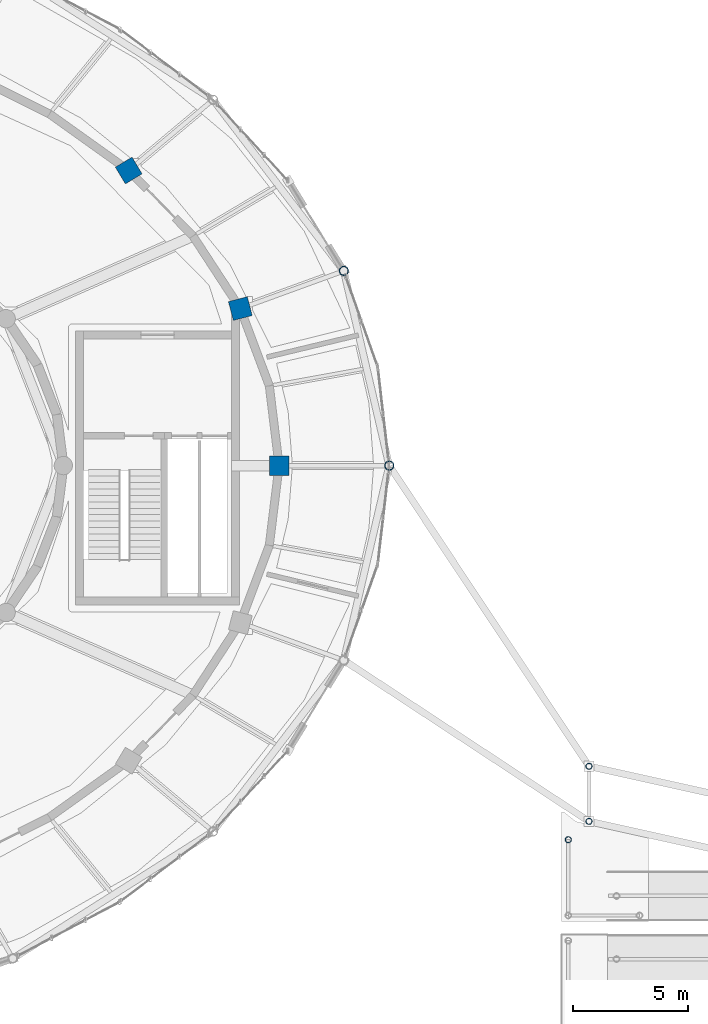
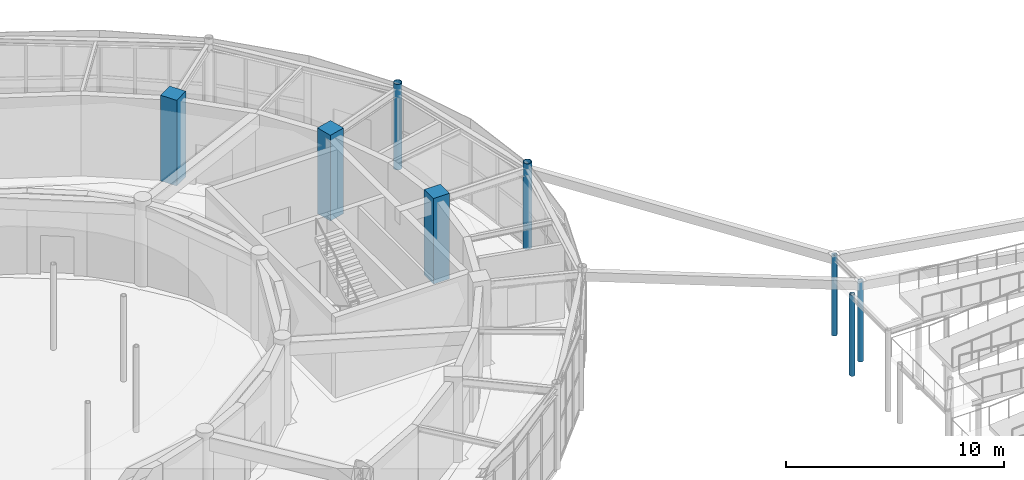
# One storey, part 10 of 108: 8 columns.
"""IFC4 building model written with IfcOpenShell, lengths in metres."""

from ifc_helpers import new_model, si_unit, direction, frame, origin, origin_2d, place, context, subcontext, project, spatial, rectangle, hollow_circle, extrude, material, material_profile, profile_set, type_object, element, save


model = new_model("IFC4")

# Units and contexts
model_context = context("Model", 3, precision=1e-05, world=origin(), true_north=direction((0.0, 1.0)))
body_context = subcontext(model_context, "Body", "Model", "MODEL_VIEW")
ifc_project = project(units=[si_unit("LENGTHUNIT", "METRE"), si_unit("AREAUNIT", "SQUARE_METRE"), si_unit("VOLUMEUNIT", "CUBIC_METRE"), si_unit("PLANEANGLEUNIT", "RADIAN"), si_unit("MASSUNIT", "GRAM", prefix="KILO")], contexts=[model_context])

# Site, building, storey
site_placement = place(None, origin())
site = spatial("IfcSite", under=ifc_project, at=site_placement, CompositionType="ELEMENT")
building_placement = place(site_placement, origin())
building = spatial("IfcBuilding", under=site, at=building_placement, Name="Tarnveldt Headland Concert Hall", CompositionType="ELEMENT")
storey_placement = place(building_placement, origin())
storey = spatial("IfcBuildingStorey", under=building, at=storey_placement, Name="L00", CompositionType="ELEMENT", Elevation=0.0)

# Columns
ifc_material_1 = material(Name="Concrete C40/50", Category="concrete")
ifc_material_profile_1 = material_profile(ifc_material_1, rectangle(XDim=0.85009765625, YDim=0.85009765625, at=origin_2d()), Name="RC 850x850", Category="concrete")
ifc_profile_set_1 = profile_set([ifc_material_profile_1], Name="Concrete C40/50")
column_type_1 = type_object("IfcColumnType", Name="CC-850", PredefinedType="COLUMN", material=ifc_profile_set_1)
for number, where, z_axis, x_axis, name in (
    (1, (111.5, 54.5, 0.0), (0.0, 0.0, 1.0), (1.0, 0.0, 0.0), "Column V2DC01 L00"),
    (2, (109.811279296875, 61.34033203125, 0.0), (0.0, 0.0, 1.0), (0.967841021032, 0.251562632376, 0.0), "Column V2DC02 L00"),
    (3, (104.94921875, 67.355712890625, 0.0), (0.0, 0.0, 1.0), (0.85770617722, 0.514140169175, 0.0), "Column V2DC03 L00"),
):
    element("IfcColumn", number, at=place(storey_placement, frame(where, z_axis=z_axis, x_axis=x_axis)), inside=storey, type_object=column_type_1, Name=name, PredefinedType="COLUMN", context=body_context, shape_type="SweptSolid", body=[
        extrude(rectangle(XDim=0.85009765625, YDim=0.85009765625, at=origin_2d()), origin(), (0.0, 0.0, 1.0), 4.800048828125),
    ])
ifc_material_2 = material(Name="Steel S355", Category="steel")
ifc_material_profile_2 = material_profile(ifc_material_2, hollow_circle(Radius=0.136474609375, WallThickness=0.01611328125, at=origin_2d()), Name="CHS 273x16", Category="steel")
ifc_profile_set_2 = profile_set([ifc_material_profile_2], Name="Steel S355")
column_type_2 = type_object("IfcColumnType", Name="SC-CHS273", PredefinedType="COLUMN", material=ifc_profile_set_2)
for number, where, z_axis, x_axis, name in (
    (4, (125.0, 39.0, 0.0), (0.0, 0.0, 1.0), (1.0, 0.0, 0.0), "Column BRP01 L00"),
    (5, (125.0, 41.39990234375, 0.0), (0.0, 0.0, 1.0), (1.0, 0.0, 0.0), "Column BRP02 L00"),
):
    element("IfcColumn", number, at=place(storey_placement, frame(where, z_axis=z_axis, x_axis=x_axis)), inside=storey, type_object=column_type_2, Name=name, PredefinedType="COLUMN", context=body_context, shape_type="SweptSolid", body=[
        extrude(hollow_circle(Radius=0.136474609375, WallThickness=0.01611328125, at=origin_2d()), origin(), (0.0, 0.0, 1.0), 4.510009765625),
    ])
column_placement = place(storey_placement, frame((124.10009765625, 38.199951171875, 0.0), z_axis=(0.0, 0.0, 1.0), x_axis=(1.0, 0.0, 0.0)))
element("IfcColumn", 6, at=column_placement, inside=storey, type_object=column_type_2, Name="Ramp landing pier W4N", PredefinedType="COLUMN", context=body_context, shape_type="SweptSolid", body=[
    extrude(hollow_circle(Radius=0.136474609375, WallThickness=0.01611328125, at=origin_2d()), origin(), (0.0, 0.0, 1.0), 4.550048828125),
])
ifc_material_profile_3 = material_profile(ifc_material_2, hollow_circle(Radius=0.203125, WallThickness=0.02490234375, at=origin_2d()), Name="CHS 406.4x25", Category="steel")
ifc_profile_set_3 = profile_set([ifc_material_profile_3], Name="Steel S355")
column_type_3 = type_object("IfcColumnType", Name="SC-CHS406", PredefinedType="COLUMN", material=ifc_profile_set_3)
for number, where, z_axis, x_axis, name in (
    (7, (116.300048828125, 54.5, 0.0), (0.0, 0.0, 1.0), (1.0, 0.0, 0.0), "Column V1C01 L00"),
    (8, (114.322021484375, 62.982177734375, 0.0), (0.0, 0.0, 1.0), (0.964141737836, 0.265387847052, 0.0), "Column V1C02 L00"),
):
    element("IfcColumn", number, at=place(storey_placement, frame(where, z_axis=z_axis, x_axis=x_axis)), inside=storey, type_object=column_type_3, Name=name, PredefinedType="COLUMN", context=body_context, shape_type="SweptSolid", body=[
        extrude(hollow_circle(Radius=0.203125, WallThickness=0.02490234375, at=origin_2d()), origin(), (0.0, 0.0, 1.0), 4.800048828125),
    ])

save(model, "model.ifc")
